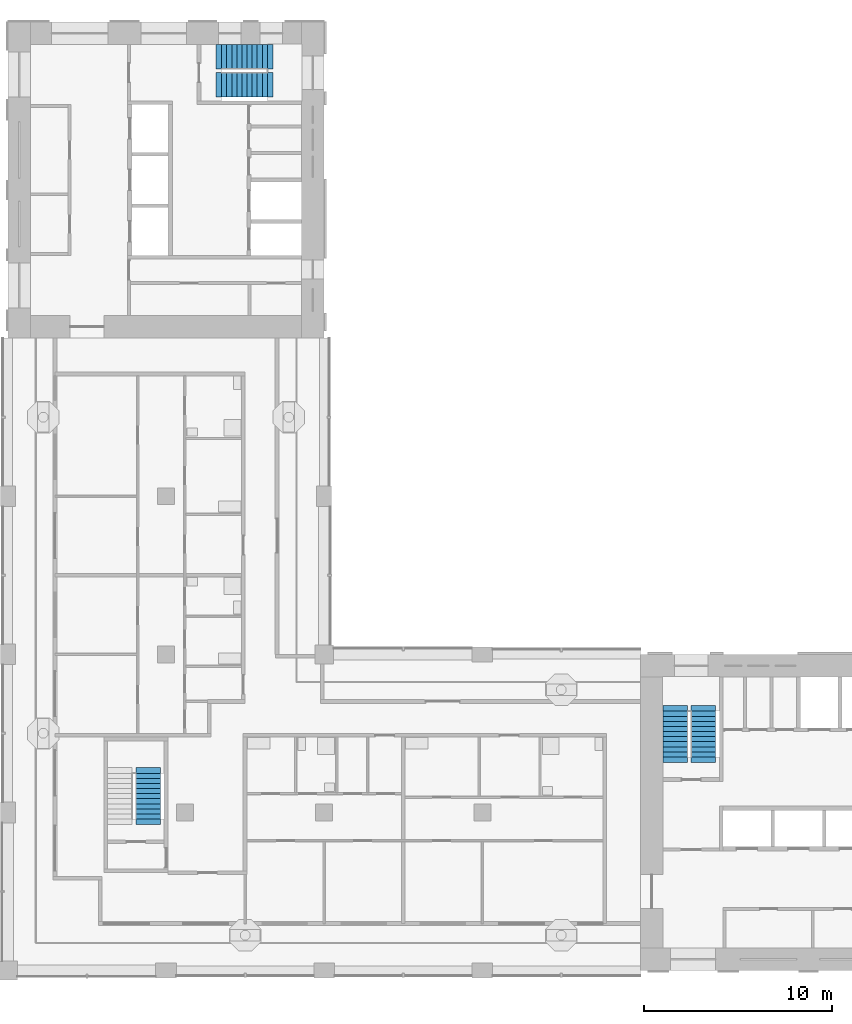
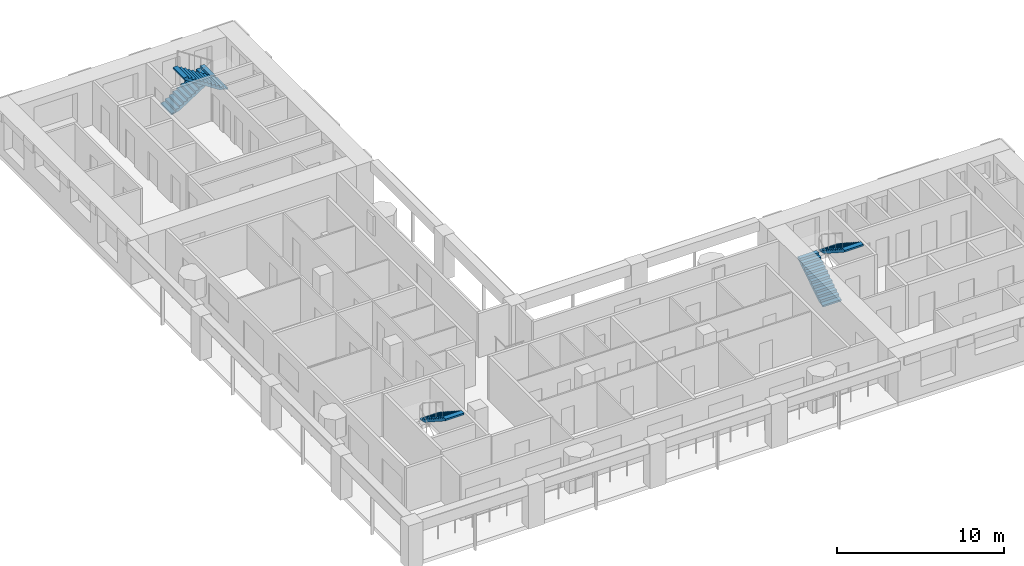
# One storey, part 7 of 12: 5 stair flights, 3 elements without a shape of their own.
"""IFC4 building model written with IfcOpenShell, lengths in metres."""

import ifcopenshell
import ifcopenshell.guid

model = None  # the IFC model being written
_history = None  # IfcOwnerHistory: only IFC2X3 demands one
_inside = {}  # id of a spatial element -> (the spatial element, [elements in it])
_under = {}  # id of a project, library or spatial element -> (it, [spatial elements below it])
_declared = {}  # id of a project -> (the project, [libraries it declares])
_typed = {}  # id of a type object -> (the type object, [elements of that type])
_made_of = {}  # id of a material, layer set ... -> (it, [elements and type objects made of it])


def new_model(schema):
    """Start an empty IFC model of exactly this schema.

    Asked for "IFC4X3", IfcOpenShell would pick the latest addendum, in which some entities
    have other attributes; the version numbers below select the first issue.
    IFC2X3 requires an IfcOwnerHistory on every rooted entity: one is made here for all.
    """
    global model, _history
    if schema == "IFC4X3":
        model = ifcopenshell.file(schema_version=(4, 3, 0, 0))
    else:
        model = ifcopenshell.file(schema=schema)
    _inside.clear()
    _under.clear()
    _declared.clear()
    _typed.clear()
    _made_of.clear()
    _history = None
    if model.schema == "IFC2X3":
        org = make("IfcOrganization", Name="unknown")
        user = make(
            "IfcPersonAndOrganization",
            ThePerson=make("IfcPerson", FamilyName="unknown"),
            TheOrganization=org,
        )
        app = make(
            "IfcApplication",
            ApplicationDeveloper=org,
            Version="unknown",
            ApplicationFullName="unknown",
            ApplicationIdentifier="unknown",
        )
        _history = make(
            "IfcOwnerHistory",
            OwningUser=user,
            OwningApplication=app,
            ChangeAction="ADDED",
            CreationDate=0,
        )
    return model


def make(cls, **values):
    """One entity of the class cls with the attributes given. An attribute that is None is left unset."""
    return model.create_entity(
        cls, **{name: value for name, value in values.items() if value is not None}
    )


def rooted(cls, **values):
    """An entity with a GlobalId (a new one), such as an element, a storey or a relation."""
    return make(cls, GlobalId=ifcopenshell.guid.new(), OwnerHistory=_history, **values)


def si_unit(unit_type, name, prefix=None):
    """IfcSIUnit, for example si_unit("LENGTHUNIT", "METRE", prefix="MILLI")."""
    return make("IfcSIUnit", UnitType=unit_type, Prefix=prefix, Name=name)


def assignment(units):
    """IfcUnitAssignment: the units of a project."""
    return None if units is None else make("IfcUnitAssignment", Units=units)


def point(xyz):
    """IfcCartesianPoint."""
    return None if xyz is None else make("IfcCartesianPoint", Coordinates=xyz)


def direction(xyz):
    """IfcDirection."""
    return None if xyz is None else make("IfcDirection", DirectionRatios=xyz)


def frame(location, z_axis=None, x_axis=None):
    """IfcAxis2Placement3D, a coordinate frame: its origin and axes. An axis left out is left unset."""
    return make(
        "IfcAxis2Placement3D",
        Location=point(location),
        Axis=direction(z_axis),
        RefDirection=direction(x_axis),
    )


def origin():
    """The frame at (0, 0, 0) with its axes left unset."""
    return frame((0.0, 0.0, 0.0))


def place(relative_to, where):
    """IfcLocalPlacement: puts the frame where relative to a parent placement (None: the world)."""
    return make(
        "IfcLocalPlacement", PlacementRelTo=relative_to, RelativePlacement=where
    )


def context(
    kind, dimensions, precision=None, world=None, true_north=None, identifier=None
):
    """IfcGeometricRepresentationContext, for example the 3D "Model" context."""
    return make(
        "IfcGeometricRepresentationContext",
        ContextIdentifier=identifier,
        ContextType=kind,
        CoordinateSpaceDimension=dimensions,
        Precision=precision,
        WorldCoordinateSystem=world,
        TrueNorth=true_north,
    )


def subcontext(parent, identifier, kind, view, scale=None):
    """IfcGeometricRepresentationSubContext, for example "Body" below "Model"."""
    return make(
        "IfcGeometricRepresentationSubContext",
        ContextIdentifier=identifier,
        ContextType=kind,
        ParentContext=parent,
        TargetScale=scale,
        TargetView=view,
    )


def project(units=None, contexts=None):
    """IfcProject with its units and contexts."""
    return rooted(
        "IfcProject",
        Name="project",
        RepresentationContexts=contexts,
        UnitsInContext=assignment(units),
    )


def spatial(cls, under=None, at=None, **own):
    """A site, building, storey or space (cls), placed at a placement, below another one or the project."""
    s = rooted(cls, ObjectPlacement=at, **own)
    if under is not None:
        _under.setdefault(under.id(), (under, []))[1].append(s)
    return s


def polyline(points):
    """IfcPolyline through the points."""
    return make("IfcPolyline", Points=[point(p) for p in points])


def outline(outer, holes=None, kind="AREA"):
    """IfcArbitraryClosedProfileDef: a profile drawn as a closed curve; with holes, ...WithVoids."""
    if holes is None:
        return make("IfcArbitraryClosedProfileDef", ProfileType=kind, OuterCurve=outer)
    return make(
        "IfcArbitraryProfileDefWithVoids",
        ProfileType=kind,
        OuterCurve=outer,
        InnerCurves=holes,
    )


def extrude(swept, where, along, depth):
    """IfcExtrudedAreaSolid: the profile swept, set in the frame where, extruded along a direction by depth."""
    return make(
        "IfcExtrudedAreaSolid",
        SweptArea=swept,
        Position=where,
        ExtrudedDirection=direction(along),
        Depth=depth,
    )


def shape(context_of_items, identifier, shape_type, items):
    """IfcShapeRepresentation: the items that make up one representation, for example the "Body"."""
    return make(
        "IfcShapeRepresentation",
        ContextOfItems=context_of_items,
        RepresentationIdentifier=identifier,
        RepresentationType=shape_type,
        Items=items,
    )


def material(Name=None, Category=None):
    """IfcMaterial."""
    return make("IfcMaterial", Name=Name, Category=Category)


def made_of(thing, what):
    """Note that an element or type object is made of a material, layer set ...; save() writes the relation."""
    if what is not None:
        _made_of.setdefault(what.id(), (what, []))[1].append(thing)
    return thing


def type_object(cls, material=None, **own):
    """A type object (cls), such as IfcWallType, which elements share."""
    return made_of(rooted(cls, **own), material)


def element(
    cls,
    number,
    at=None,
    inside=None,
    cuts=None,
    type_object=None,
    material=None,
    context=None,
    identifier="Body",
    shape_type=None,
    held_by="IfcProductDefinitionShape",
    body=None,
    shapes=None,
    **own,
):
    """One element of the class cls, such as IfcWall. Its Tag is "e" and its number.

    at: its placement. inside: the storey or other place that contains it. cuts: it is an
    opening in that element (IfcRelVoidsElement). A single representation is given by context,
    identifier, shape_type and body (its items); several are given by shapes. held_by: the class
    of the entity that holds the representations. save() writes the other relations.
    """
    e = rooted(cls, Tag="e%d" % number, ObjectPlacement=at, **own)
    if body is not None:
        shapes = [shape(context, identifier, shape_type, body)]
    if shapes is not None:
        e.Representation = make(held_by, Representations=shapes)
    if inside is not None:
        _inside.setdefault(inside.id(), (inside, []))[1].append(e)
    if cuts is not None:
        rooted(
            "IfcRelVoidsElement", RelatingBuildingElement=cuts, RelatedOpeningElement=e
        )
    if type_object is not None:
        _typed.setdefault(type_object.id(), (type_object, []))[1].append(e)
    return made_of(e, material)


def aggregate(whole, parts):
    """IfcRelAggregates: a whole, such as a stair, and the parts it consists of."""
    return rooted("IfcRelAggregates", RelatingObject=whole, RelatedObjects=parts)


def save(model, path):
    """Write the relations noted so far, then the file.

    IfcRelAggregates (storeys below a building ...), IfcRelContainedInSpatialStructure (elements
    in a storey), IfcRelDefinesByType, IfcRelAssociatesMaterial and IfcRelDeclares: one each for
    every whole, place, type object, material and project.
    """
    for whole, parts in _under.values():
        aggregate(whole, parts)
    for where, things in _inside.values():
        rooted(
            "IfcRelContainedInSpatialStructure",
            RelatedElements=things,
            RelatingStructure=where,
        )
    for kind, things in _typed.values():
        rooted("IfcRelDefinesByType", RelatedObjects=things, RelatingType=kind)
    for what, things in _made_of.values():
        rooted("IfcRelAssociatesMaterial", RelatedObjects=things, RelatingMaterial=what)
    for by, libraries in _declared.values():
        rooted("IfcRelDeclares", RelatingContext=by, RelatedDefinitions=libraries)
    model.write(path)


model = new_model("IFC4")

# Units and contexts
model_context = context("Model", 3, precision=1e-05, world=origin(), true_north=direction((0.0, 1.0)))
body_context = subcontext(model_context, "Body", "Model", "MODEL_VIEW")
ifc_project = project(units=[si_unit("LENGTHUNIT", "METRE"), si_unit("AREAUNIT", "SQUARE_METRE"), si_unit("VOLUMEUNIT", "CUBIC_METRE"), si_unit("PLANEANGLEUNIT", "RADIAN"), si_unit("MASSUNIT", "GRAM", prefix="KILO")], contexts=[model_context])

# Site, building, storey
site_placement = place(None, origin())
site = spatial("IfcSite", under=ifc_project, at=site_placement, CompositionType="ELEMENT")
building_placement = place(site_placement, origin())
building = spatial("IfcBuilding", under=site, at=building_placement, Name="Vermilion Gate Residences", CompositionType="ELEMENT")
storey_placement = place(building_placement, frame((0.0, 0.0, 221.199951171875)))
storey = spatial("IfcBuildingStorey", under=building, at=storey_placement, Name="L57", CompositionType="ELEMENT", Elevation=221.199951171875)

# Stair, stair flights
ifc_material_1 = material(Name="Concrete C50", Category="concrete")
stair_type = type_object("IfcStairType", Name="SPECIAL ESCAPE STAIR 1300", PredefinedType="HALF_TURN_STAIR", material=ifc_material_1)
stair_1_placement = place(storey_placement, origin())
stair_1 = element("IfcStair", 1, at=stair_1_placement, inside=storey, type_object=stair_type, Name="Special escape stair STA1-57", PredefinedType="HALF_TURN_STAIR")
ifc_material_2 = material(Name="Concrete C50", Category="concrete")
stair_flight_type = type_object("IfcStairFlightType", Name="STAIR FLIGHT 1300 RC C50", PredefinedType="STRAIGHT", material=ifc_material_2)
stair_flight_1_placement = place(storey_placement, frame((43.85009765625, 19.75, 0.0), z_axis=(0.0, 0.0, 1.0), x_axis=(0.0, 1.0, 0.0)))
stair_flight_1 = element("IfcStairFlight", 2, at=stair_flight_1_placement, type_object=stair_flight_type, Name="STA1-57 flight 1", NumberOfRisers=10, NumberOfTreads=9, PredefinedType="STRAIGHT", RiserHeight=0.175, TreadLength=0.27, context=body_context, shape_type="SweptSolid", body=[
    extrude(outline(polyline([(-0.300048828125, -0.14990234375), (-0.300048828125, -0.030029296875), (0.0, 0.0), (0.0, 0.175048828125), (0.27001953125, 0.175048828125), (0.27001953125, 0.35009765625), (0.5400390625, 0.35009765625), (0.5400390625, 0.52490234375), (0.81005859375, 0.52490234375), (0.81005859375, 0.699951171875), (1.080078125, 0.699951171875), (1.080078125, 0.875), (1.35009765625, 0.875), (1.35009765625, 1.050048828125), (1.6201171875, 1.050048828125), (1.6201171875, 1.22509765625), (1.889892578125, 1.22509765625), (1.889892578125, 1.39990234375), (2.159912109375, 1.39990234375), (2.159912109375, 1.574951171875), (2.429931640625, 1.574951171875), (2.429931640625, 1.75), (2.72998046875, 1.719970703125), (2.72998046875, 1.60009765625), (2.429931640625, 1.396484375), (0.275634765625, 0.0), (-0.300048828125, -0.14990234375)])), frame((0.0, 0.64990234375, 0.0), z_axis=(0.0, -1.0, 0.0), x_axis=(1.0, 0.0, 0.0)), (0.0, 0.0, 1.0), 1.300048828125),
])
stair_flight_2_placement = place(storey_placement, frame((45.35009765625, 22.179931640625, 1.75), z_axis=(0.0, 0.0, 1.0), x_axis=(0.0, -1.0, 0.0)))
stair_flight_2 = element("IfcStairFlight", 3, at=stair_flight_2_placement, type_object=stair_flight_type, Name="STA1-57 flight 2", NumberOfRisers=10, NumberOfTreads=9, PredefinedType="STRAIGHT", RiserHeight=0.175, TreadLength=0.27, context=body_context, shape_type="SweptSolid", body=[
    extrude(outline(polyline([(-0.300048828125, -0.14990234375), (-0.300048828125, -0.030029296875), (0.0, 0.0), (0.0, 0.175048828125), (0.27001953125, 0.175048828125), (0.27001953125, 0.35009765625), (0.5400390625, 0.35009765625), (0.5400390625, 0.52490234375), (0.81005859375, 0.52490234375), (0.81005859375, 0.699951171875), (1.080078125, 0.699951171875), (1.080078125, 0.875), (1.35009765625, 0.875), (1.35009765625, 1.050048828125), (1.6201171875, 1.050048828125), (1.6201171875, 1.22509765625), (1.889892578125, 1.22509765625), (1.889892578125, 1.39990234375), (2.159912109375, 1.39990234375), (2.159912109375, 1.574951171875), (2.429931640625, 1.574951171875), (2.429931640625, 1.75), (2.72998046875, 1.719970703125), (2.72998046875, 1.60009765625), (2.429931640625, 1.396484375), (0.275634765625, 0.0), (-0.300048828125, -0.14990234375)])), frame((0.0, 0.64990234375, 0.0), z_axis=(0.0, -1.0, 0.0), x_axis=(1.0, 0.0, 0.0)), (0.0, 0.0, 1.0), 1.300048828125),
])
aggregate(stair_1, [stair_flight_1, stair_flight_2])

stair_2_placement = place(storey_placement, origin())
stair_2 = element("IfcStair", 4, at=stair_2_placement, inside=storey, type_object=stair_type, Name="Special escape stair STB1-57", PredefinedType="HALF_TURN_STAIR")
stair_flight_3_placement = place(storey_placement, frame((19.75, 56.949951171875, 0.0), z_axis=(0.0, 0.0, 1.0), x_axis=(1.0, 0.0, 0.0)))
stair_flight_3 = element("IfcStairFlight", 5, at=stair_flight_3_placement, type_object=stair_flight_type, Name="STB1-57 flight 1", NumberOfRisers=10, NumberOfTreads=9, PredefinedType="STRAIGHT", RiserHeight=0.175, TreadLength=0.27, context=body_context, shape_type="SweptSolid", body=[
    extrude(outline(polyline([(-0.300048828125, -0.14990234375), (-0.300048828125, -0.030029296875), (0.0, 0.0), (0.0, 0.175048828125), (0.27001953125, 0.175048828125), (0.27001953125, 0.35009765625), (0.5400390625, 0.35009765625), (0.5400390625, 0.52490234375), (0.81005859375, 0.52490234375), (0.81005859375, 0.699951171875), (1.080078125, 0.699951171875), (1.080078125, 0.875), (1.35009765625, 0.875), (1.35009765625, 1.050048828125), (1.6201171875, 1.050048828125), (1.6201171875, 1.22509765625), (1.889892578125, 1.22509765625), (1.889892578125, 1.39990234375), (2.159912109375, 1.39990234375), (2.159912109375, 1.574951171875), (2.429931640625, 1.574951171875), (2.429931640625, 1.75), (2.72998046875, 1.719970703125), (2.72998046875, 1.60009765625), (2.429931640625, 1.396484375), (0.275634765625, 0.0), (-0.300048828125, -0.14990234375)])), frame((0.0, 0.64990234375, 0.0), z_axis=(0.0, -1.0, 0.0), x_axis=(1.0, 0.0, 0.0)), (0.0, 0.0, 1.0), 1.300048828125),
])
stair_flight_4_placement = place(storey_placement, frame((22.179931640625, 55.449951171875, 1.75), z_axis=(0.0, 0.0, 1.0), x_axis=(-1.0, 0.0, 0.0)))
stair_flight_4 = element("IfcStairFlight", 6, at=stair_flight_4_placement, type_object=stair_flight_type, Name="STB1-57 flight 2", NumberOfRisers=10, NumberOfTreads=9, PredefinedType="STRAIGHT", RiserHeight=0.175, TreadLength=0.27, context=body_context, shape_type="SweptSolid", body=[
    extrude(outline(polyline([(-0.300048828125, -0.14990234375), (-0.300048828125, -0.030029296875), (0.0, 0.0), (0.0, 0.175048828125), (0.27001953125, 0.175048828125), (0.27001953125, 0.35009765625), (0.5400390625, 0.35009765625), (0.5400390625, 0.52490234375), (0.81005859375, 0.52490234375), (0.81005859375, 0.699951171875), (1.080078125, 0.699951171875), (1.080078125, 0.875), (1.35009765625, 0.875), (1.35009765625, 1.050048828125), (1.6201171875, 1.050048828125), (1.6201171875, 1.22509765625), (1.889892578125, 1.22509765625), (1.889892578125, 1.39990234375), (2.159912109375, 1.39990234375), (2.159912109375, 1.574951171875), (2.429931640625, 1.574951171875), (2.429931640625, 1.75), (2.72998046875, 1.719970703125), (2.72998046875, 1.60009765625), (2.429931640625, 1.396484375), (0.275634765625, 0.0), (-0.300048828125, -0.14990234375)])), frame((0.0, 0.64990234375, 0.0), z_axis=(0.0, -1.0, 0.0), x_axis=(1.0, 0.0, 0.0)), (0.0, 0.0, 1.0), 1.300048828125),
])
aggregate(stair_2, [stair_flight_3, stair_flight_4])

# Stair, stair flight
stair_3_placement = place(storey_placement, origin())
stair_3 = element("IfcStair", 7, at=stair_3_placement, inside=storey, type_object=stair_type, Name="Special escape stair STC1-57", PredefinedType="HALF_TURN_STAIR")
stair_flight_5_placement = place(storey_placement, frame((15.85009765625, 18.8798828125, 1.75), z_axis=(0.0, 0.0, 1.0), x_axis=(0.0, -1.0, 0.0)))
stair_flight_5 = element("IfcStairFlight", 8, at=stair_flight_5_placement, type_object=stair_flight_type, Name="STC1-57 flight 2", NumberOfRisers=10, NumberOfTreads=9, PredefinedType="STRAIGHT", RiserHeight=0.175, TreadLength=0.27, context=body_context, shape_type="SweptSolid", body=[
    extrude(outline(polyline([(-0.300048828125, -0.14990234375), (-0.300048828125, -0.030029296875), (0.0, 0.0), (0.0, 0.175048828125), (0.27001953125, 0.175048828125), (0.27001953125, 0.35009765625), (0.5400390625, 0.35009765625), (0.5400390625, 0.52490234375), (0.81005859375, 0.52490234375), (0.81005859375, 0.699951171875), (1.080078125, 0.699951171875), (1.080078125, 0.875), (1.35009765625, 0.875), (1.35009765625, 1.050048828125), (1.6201171875, 1.050048828125), (1.6201171875, 1.22509765625), (1.889892578125, 1.22509765625), (1.889892578125, 1.39990234375), (2.159912109375, 1.39990234375), (2.159912109375, 1.574951171875), (2.429931640625, 1.574951171875), (2.429931640625, 1.75), (2.72998046875, 1.719970703125), (2.72998046875, 1.60009765625), (2.429931640625, 1.396484375), (0.275634765625, 0.0), (-0.300048828125, -0.14990234375)])), frame((0.0, 0.64990234375, 0.0), z_axis=(0.0, -1.0, 0.0), x_axis=(1.0, 0.0, 0.0)), (0.0, 0.0, 1.0), 1.300048828125),
])
aggregate(stair_3, [stair_flight_5])

save(model, "model.ifc")
